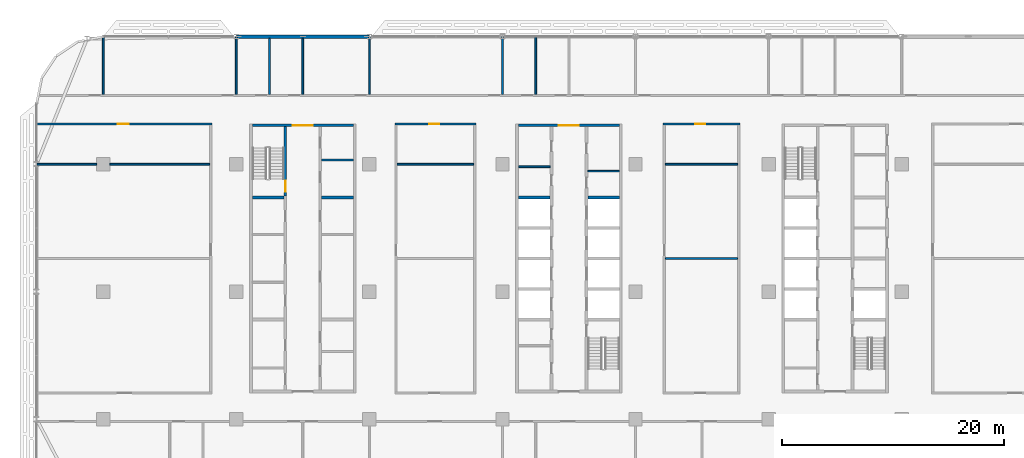
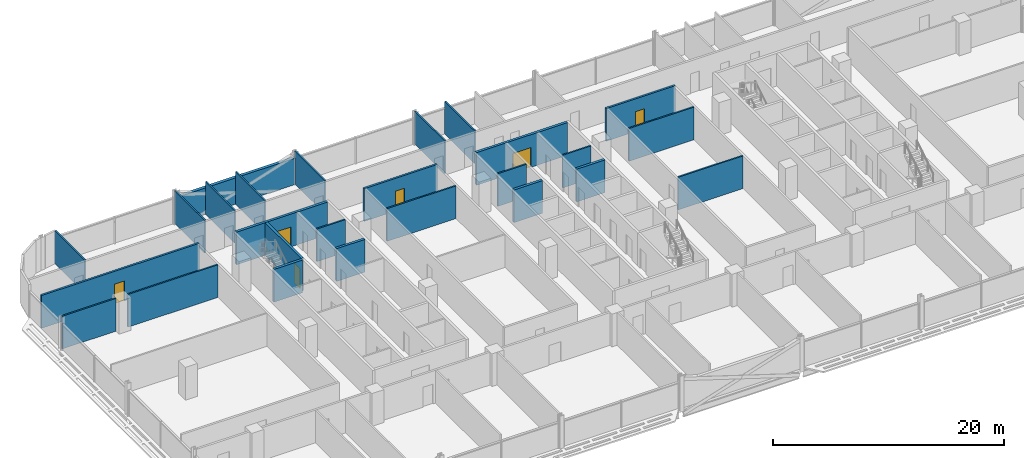
# One storey, part 13 of 27: 26 walls, 6 doors, 6 openings.
"""IFC4 building model written with IfcOpenShell, lengths in metres."""

import ifcopenshell
import ifcopenshell.guid

model = None  # the IFC model being written
_history = None  # IfcOwnerHistory: only IFC2X3 demands one
_inside = {}  # id of a spatial element -> (the spatial element, [elements in it])
_under = {}  # id of a project, library or spatial element -> (it, [spatial elements below it])
_declared = {}  # id of a project -> (the project, [libraries it declares])
_typed = {}  # id of a type object -> (the type object, [elements of that type])
_made_of = {}  # id of a material, layer set ... -> (it, [elements and type objects made of it])


def new_model(schema):
    """Start an empty IFC model of exactly this schema.

    Asked for "IFC4X3", IfcOpenShell would pick the latest addendum, in which some entities
    have other attributes; the version numbers below select the first issue.
    IFC2X3 requires an IfcOwnerHistory on every rooted entity: one is made here for all.
    """
    global model, _history
    if schema == "IFC4X3":
        model = ifcopenshell.file(schema_version=(4, 3, 0, 0))
    else:
        model = ifcopenshell.file(schema=schema)
    _inside.clear()
    _under.clear()
    _declared.clear()
    _typed.clear()
    _made_of.clear()
    _history = None
    if model.schema == "IFC2X3":
        org = make("IfcOrganization", Name="unknown")
        user = make(
            "IfcPersonAndOrganization",
            ThePerson=make("IfcPerson", FamilyName="unknown"),
            TheOrganization=org,
        )
        app = make(
            "IfcApplication",
            ApplicationDeveloper=org,
            Version="unknown",
            ApplicationFullName="unknown",
            ApplicationIdentifier="unknown",
        )
        _history = make(
            "IfcOwnerHistory",
            OwningUser=user,
            OwningApplication=app,
            ChangeAction="ADDED",
            CreationDate=0,
        )
    return model


def make(cls, **values):
    """One entity of the class cls with the attributes given. An attribute that is None is left unset."""
    return model.create_entity(
        cls, **{name: value for name, value in values.items() if value is not None}
    )


def rooted(cls, **values):
    """An entity with a GlobalId (a new one), such as an element, a storey or a relation."""
    return make(cls, GlobalId=ifcopenshell.guid.new(), OwnerHistory=_history, **values)


def si_unit(unit_type, name, prefix=None):
    """IfcSIUnit, for example si_unit("LENGTHUNIT", "METRE", prefix="MILLI")."""
    return make("IfcSIUnit", UnitType=unit_type, Prefix=prefix, Name=name)


def assignment(units):
    """IfcUnitAssignment: the units of a project."""
    return None if units is None else make("IfcUnitAssignment", Units=units)


def point(xyz):
    """IfcCartesianPoint."""
    return None if xyz is None else make("IfcCartesianPoint", Coordinates=xyz)


def direction(xyz):
    """IfcDirection."""
    return None if xyz is None else make("IfcDirection", DirectionRatios=xyz)


def frame(location, z_axis=None, x_axis=None):
    """IfcAxis2Placement3D, a coordinate frame: its origin and axes. An axis left out is left unset."""
    return make(
        "IfcAxis2Placement3D",
        Location=point(location),
        Axis=direction(z_axis),
        RefDirection=direction(x_axis),
    )


def frame_2d(location, x_axis=None):
    """IfcAxis2Placement2D, a coordinate frame in the plane: its origin and x axis."""
    return make(
        "IfcAxis2Placement2D", Location=point(location), RefDirection=direction(x_axis)
    )


def origin():
    """The frame at (0, 0, 0) with its axes left unset."""
    return frame((0.0, 0.0, 0.0))


def place(relative_to, where):
    """IfcLocalPlacement: puts the frame where relative to a parent placement (None: the world)."""
    return make(
        "IfcLocalPlacement", PlacementRelTo=relative_to, RelativePlacement=where
    )


def context(
    kind, dimensions, precision=None, world=None, true_north=None, identifier=None
):
    """IfcGeometricRepresentationContext, for example the 3D "Model" context."""
    return make(
        "IfcGeometricRepresentationContext",
        ContextIdentifier=identifier,
        ContextType=kind,
        CoordinateSpaceDimension=dimensions,
        Precision=precision,
        WorldCoordinateSystem=world,
        TrueNorth=true_north,
    )


def subcontext(parent, identifier, kind, view, scale=None):
    """IfcGeometricRepresentationSubContext, for example "Body" below "Model"."""
    return make(
        "IfcGeometricRepresentationSubContext",
        ContextIdentifier=identifier,
        ContextType=kind,
        ParentContext=parent,
        TargetScale=scale,
        TargetView=view,
    )


def project(units=None, contexts=None):
    """IfcProject with its units and contexts."""
    return rooted(
        "IfcProject",
        Name="project",
        RepresentationContexts=contexts,
        UnitsInContext=assignment(units),
    )


def spatial(cls, under=None, at=None, **own):
    """A site, building, storey or space (cls), placed at a placement, below another one or the project."""
    s = rooted(cls, ObjectPlacement=at, **own)
    if under is not None:
        _under.setdefault(under.id(), (under, []))[1].append(s)
    return s


def profile(cls, at=None, kind="AREA", **sizes):
    """A parametric profile (cls). Its sizes go by their IFC names, for example OverallWidth=200.0."""
    return make(cls, ProfileType=kind, Position=at, **sizes)


def rectangle(**sizes):
    """IfcRectangleProfileDef."""
    return profile("IfcRectangleProfileDef", **sizes)


def extrude(swept, where, along, depth):
    """IfcExtrudedAreaSolid: the profile swept, set in the frame where, extruded along a direction by depth."""
    return make(
        "IfcExtrudedAreaSolid",
        SweptArea=swept,
        Position=where,
        ExtrudedDirection=direction(along),
        Depth=depth,
    )


def shape(context_of_items, identifier, shape_type, items):
    """IfcShapeRepresentation: the items that make up one representation, for example the "Body"."""
    return make(
        "IfcShapeRepresentation",
        ContextOfItems=context_of_items,
        RepresentationIdentifier=identifier,
        RepresentationType=shape_type,
        Items=items,
    )


def material(Name=None, Category=None):
    """IfcMaterial."""
    return make("IfcMaterial", Name=Name, Category=Category)


def layer(
    of_material, thickness, ventilated=None, Name=None, Category=None, Priority=None
):
    """IfcMaterialLayer: one layer of a wall or slab, of a material (None: an air gap)."""
    return make(
        "IfcMaterialLayer",
        Material=of_material,
        LayerThickness=thickness,
        IsVentilated=ventilated,
        Name=Name,
        Category=Category,
        Priority=Priority,
    )


def layer_set(layers, Name=None):
    """IfcMaterialLayerSet."""
    return make("IfcMaterialLayerSet", MaterialLayers=layers, LayerSetName=Name)


def made_of(thing, what):
    """Note that an element or type object is made of a material, layer set ...; save() writes the relation."""
    if what is not None:
        _made_of.setdefault(what.id(), (what, []))[1].append(thing)
    return thing


def type_object(cls, material=None, **own):
    """A type object (cls), such as IfcWallType, which elements share."""
    return made_of(rooted(cls, **own), material)


def element(
    cls,
    number,
    at=None,
    inside=None,
    cuts=None,
    type_object=None,
    material=None,
    context=None,
    identifier="Body",
    shape_type=None,
    held_by="IfcProductDefinitionShape",
    body=None,
    shapes=None,
    **own,
):
    """One element of the class cls, such as IfcWall. Its Tag is "e" and its number.

    at: its placement. inside: the storey or other place that contains it. cuts: it is an
    opening in that element (IfcRelVoidsElement). A single representation is given by context,
    identifier, shape_type and body (its items); several are given by shapes. held_by: the class
    of the entity that holds the representations. save() writes the other relations.
    """
    e = rooted(cls, Tag="e%d" % number, ObjectPlacement=at, **own)
    if body is not None:
        shapes = [shape(context, identifier, shape_type, body)]
    if shapes is not None:
        e.Representation = make(held_by, Representations=shapes)
    if inside is not None:
        _inside.setdefault(inside.id(), (inside, []))[1].append(e)
    if cuts is not None:
        rooted(
            "IfcRelVoidsElement", RelatingBuildingElement=cuts, RelatedOpeningElement=e
        )
    if type_object is not None:
        _typed.setdefault(type_object.id(), (type_object, []))[1].append(e)
    return made_of(e, material)


def fill(opening, filler):
    """IfcRelFillsElement: the door or window that sits in an opening."""
    return rooted(
        "IfcRelFillsElement",
        RelatingOpeningElement=opening,
        RelatedBuildingElement=filler,
    )


def aggregate(whole, parts):
    """IfcRelAggregates: a whole, such as a stair, and the parts it consists of."""
    return rooted("IfcRelAggregates", RelatingObject=whole, RelatedObjects=parts)


def save(model, path):
    """Write the relations noted so far, then the file.

    IfcRelAggregates (storeys below a building ...), IfcRelContainedInSpatialStructure (elements
    in a storey), IfcRelDefinesByType, IfcRelAssociatesMaterial and IfcRelDeclares: one each for
    every whole, place, type object, material and project.
    """
    for whole, parts in _under.values():
        aggregate(whole, parts)
    for where, things in _inside.values():
        rooted(
            "IfcRelContainedInSpatialStructure",
            RelatedElements=things,
            RelatingStructure=where,
        )
    for kind, things in _typed.values():
        rooted("IfcRelDefinesByType", RelatedObjects=things, RelatingType=kind)
    for what, things in _made_of.values():
        rooted("IfcRelAssociatesMaterial", RelatedObjects=things, RelatingMaterial=what)
    for by, libraries in _declared.values():
        rooted("IfcRelDeclares", RelatingContext=by, RelatedDefinitions=libraries)
    model.write(path)


model = new_model("IFC4")

# Units and contexts
model_context = context("Model", 3, precision=1e-05, world=origin(), true_north=direction((0.0, 1.0)))
body_context = subcontext(model_context, "Body", "Model", "MODEL_VIEW")
ifc_project = project(units=[si_unit("LENGTHUNIT", "METRE"), si_unit("AREAUNIT", "SQUARE_METRE"), si_unit("VOLUMEUNIT", "CUBIC_METRE"), si_unit("PLANEANGLEUNIT", "RADIAN"), si_unit("MASSUNIT", "GRAM", prefix="KILO")], contexts=[model_context])

# Site, building, storey
site_placement = place(None, origin())
site = spatial("IfcSite", under=ifc_project, at=site_placement, CompositionType="ELEMENT")
building_placement = place(site_placement, origin())
building = spatial("IfcBuilding", under=site, at=building_placement, Name="Mahtab Terrace Research Tower", CompositionType="ELEMENT")
storey_placement = place(building_placement, frame((0.0, 0.0, 170.60009765625)))
storey = spatial("IfcBuildingStorey", under=building, at=storey_placement, Name="L40", CompositionType="ELEMENT", Elevation=170.60009765625)

# Walls
ifc_material_1 = material(Name="Gypsum board partition")
ifc_layer_1 = layer(ifc_material_1, 0.14990234375)
ifc_layer_set_1 = layer_set([ifc_layer_1], Name="Core partition 150")
wall_type_1 = type_object("IfcWallType", Name="Core partition 150", PredefinedType="PARTITIONING", material=ifc_layer_set_1)
for number, where, z_axis, x_axis, name in (
    (1, (-22.300048828125, 11.875, 0.0), (0.0, 0.0, 1.0), (1.0, 0.0, 0.0), "Core wall A pEN888"),
    (2, (-4.550048828125, 11.27490234375, 0.0), (0.0, 0.0, 1.0), (1.0, 0.0, 0.0), "Core wall B pWN828"),
    (3, (1.699951171875, 10.875, 0.0), (0.0, 0.0, 1.0), (1.0, 0.0, 0.0), "Core wall B pEN788"),
):
    element("IfcWall", number, at=place(storey_placement, frame(where, z_axis=z_axis, x_axis=x_axis)), inside=storey, type_object=wall_type_1, Name=name, PredefinedType="PARTITIONING", context=body_context, shape_type="SweptSolid", body=[
        extrude(rectangle(XDim=2.85009765625, YDim=0.14990234375, at=frame_2d((1.425048828125, 0.0))), origin(), (0.0, 0.0, 1.0), 3.4599609375),
    ])

# Wall, opening, door
ifc_material_2 = material(Name="Concrete C70/85", Category="concrete")
ifc_layer_2 = layer(ifc_material_2, 0.25)
ifc_layer_set_2 = layer_set([ifc_layer_2], Name="Core wall 250")
wall_type_2 = type_object("IfcWallType", Name="Core wall 250", PredefinedType="SOLIDWALL", material=ifc_layer_set_2)
wall_1_placement = place(storey_placement, frame((-28.550048828125, 15.0, 0.0), z_axis=(0.0, 0.0, 1.0), x_axis=(1.0, 0.0, 0.0)))
wall_1 = element("IfcWall", 4, at=wall_1_placement, inside=storey, type_object=wall_type_2, Name="Core wall A endN", PredefinedType="SOLIDWALL", context=body_context, shape_type="SweptSolid", body=[
    extrude(rectangle(XDim=9.10009765625, YDim=0.25, at=frame_2d((4.550048828125, 0.0))), origin(), (0.0, 0.0, 1.0), 3.4599609375),
])
opening_1_placement = place(wall_1_placement, frame((3.64990234375, 0.0, 0.0)))
opening_1 = element("IfcOpeningElement", 5, at=opening_1_placement, cuts=wall_1, Name="Opening A-N1", PredefinedType="OPENING", context=body_context, shape_type="SweptSolid", body=[
    extrude(rectangle(XDim=1.800048828125, YDim=2.10009765625, at=frame_2d((0.89990234375, 1.050048828125))), frame((0.0, 0.135009765625, 0.0), z_axis=(0.0, -1.0, 0.0), x_axis=(1.0, 0.0, 0.0)), (0.0, 0.0, 1.0), 0.27001953125),
])
ifc_material_3 = material(Name="Steel fire door", Category="steel")
door_type_1 = type_object("IfcDoorType", Name="Lobby double door 1800x2100 1 HR", OperationType="DOUBLE_DOOR_SINGLE_SWING", PredefinedType="DOOR", material=ifc_material_3)
door_1_placement = place(opening_1_placement, origin())
door_1 = element("IfcDoor", 6, at=door_1_placement, inside=storey, type_object=door_type_1, Name="Core entrance door A N", OperationType="DOUBLE_DOOR_SINGLE_SWING", OverallHeight=2.10009765625, OverallWidth=1.800048828125, PredefinedType="DOOR", context=body_context, shape_type="SweptSolid", body=[
    extrude(rectangle(XDim=1.800048828125, YDim=2.10009765625, at=frame_2d((0.89990234375, 1.050048828125))), frame((0.0, 0.02490234375, 0.0), z_axis=(0.0, -1.0, 0.0), x_axis=(1.0, 0.0, 0.0)), (0.0, 0.0, 1.0), 0.050048828125),
])
fill(opening_1, door_1)

wall_2_placement = place(storey_placement, frame((-25.574951171875, 14.875, 0.0), z_axis=(0.0, 0.0, 1.0), x_axis=(0.0, -1.0, 0.0)))
wall_2 = element("IfcWall", 7, at=wall_2_placement, inside=storey, type_object=wall_type_2, Name="Core wall A innerWN", PredefinedType="SOLIDWALL", context=body_context, shape_type="SweptSolid", body=[
    extrude(rectangle(XDim=6.25, YDim=0.25, at=frame_2d((3.125, 0.0))), origin(), (0.0, 0.0, 1.0), 3.4599609375),
])
opening_2_placement = place(wall_2_placement, frame((4.85009765625, 0.0, 0.0)))
opening_2 = element("IfcOpeningElement", 8, at=opening_2_placement, cuts=wall_2, Name="Opening A-ST1", PredefinedType="OPENING", context=body_context, shape_type="SweptSolid", body=[
    extrude(rectangle(XDim=1.0, YDim=2.10009765625, at=frame_2d((0.5, 1.050048828125))), frame((0.0, 0.135009765625, 0.0), z_axis=(0.0, -1.0, 0.0), x_axis=(1.0, 0.0, 0.0)), (0.0, 0.0, 1.0), 0.27001953125),
])
door_type_2 = type_object("IfcDoorType", Name="Stair door 1000x2100 1.5 HR", OperationType="NOTDEFINED", PredefinedType="DOOR", material=ifc_material_3)
door_2_placement = place(opening_2_placement, origin())
door_2 = element("IfcDoor", 9, at=door_2_placement, inside=storey, type_object=door_type_2, Name="Stair door ST1 L40", OperationType="SINGLE_SWING_RIGHT", OverallHeight=2.10009765625, OverallWidth=1.0, PredefinedType="DOOR", context=body_context, shape_type="SweptSolid", body=[
    extrude(rectangle(XDim=1.0, YDim=2.10009765625, at=frame_2d((0.5, 1.050048828125))), frame((0.0, 0.02490234375, 0.0), z_axis=(0.0, -1.0, 0.0), x_axis=(1.0, 0.0, 0.0)), (0.0, 0.0, 1.0), 0.050048828125),
])
fill(opening_2, door_2)

# Walls
for number, where, z_axis, x_axis, name in (
    (10, (-28.550048828125, 8.5, 0.0), (0.0, 0.0, 1.0), (1.0, 0.0, 0.0), "Core wall A divW4"),
    (11, (-22.300048828125, 8.5, 0.0), (0.0, 0.0, 1.0), (1.0, 0.0, 0.0), "Core wall A divE4"),
):
    element("IfcWall", number, at=place(storey_placement, frame(where, z_axis=z_axis, x_axis=x_axis)), inside=storey, type_object=wall_type_2, Name=name, PredefinedType="SOLIDWALL", context=body_context, shape_type="SweptSolid", body=[
        extrude(rectangle(XDim=2.85009765625, YDim=0.25, at=frame_2d((1.425048828125, 0.0))), origin(), (0.0, 0.0, 1.0), 3.4599609375),
    ])

# Wall, opening, door
wall_3_placement = place(storey_placement, frame((-4.550048828125, 15.0, 0.0), z_axis=(0.0, 0.0, 1.0), x_axis=(1.0, 0.0, 0.0)))
wall_3 = element("IfcWall", 12, at=wall_3_placement, inside=storey, type_object=wall_type_2, Name="Core wall B endN", PredefinedType="SOLIDWALL", context=body_context, shape_type="SweptSolid", body=[
    extrude(rectangle(XDim=9.10009765625, YDim=0.25, at=frame_2d((4.550048828125, 0.0))), origin(), (0.0, 0.0, 1.0), 3.4599609375),
])
opening_3_placement = place(wall_3_placement, frame((3.64990234375, 0.0, 0.0)))
opening_3 = element("IfcOpeningElement", 13, at=opening_3_placement, cuts=wall_3, Name="Opening B-N1", PredefinedType="OPENING", context=body_context, shape_type="SweptSolid", body=[
    extrude(rectangle(XDim=1.800048828125, YDim=2.10009765625, at=frame_2d((0.89990234375, 1.050048828125))), frame((0.0, 0.135009765625, 0.0), z_axis=(0.0, -1.0, 0.0), x_axis=(1.0, 0.0, 0.0)), (0.0, 0.0, 1.0), 0.27001953125),
])
door_3_placement = place(opening_3_placement, origin())
door_3 = element("IfcDoor", 14, at=door_3_placement, inside=storey, type_object=door_type_1, Name="Core entrance door B N", OperationType="DOUBLE_DOOR_SINGLE_SWING", OverallHeight=2.10009765625, OverallWidth=1.800048828125, PredefinedType="DOOR", context=body_context, shape_type="SweptSolid", body=[
    extrude(rectangle(XDim=1.800048828125, YDim=2.10009765625, at=frame_2d((0.89990234375, 1.050048828125))), frame((0.0, 0.02490234375, 0.0), z_axis=(0.0, -1.0, 0.0), x_axis=(1.0, 0.0, 0.0)), (0.0, 0.0, 1.0), 0.050048828125),
])
fill(opening_3, door_3)

# Walls
for number, where, z_axis, x_axis, name in (
    (15, (-4.550048828125, 8.5, 0.0), (0.0, 0.0, 1.0), (1.0, 0.0, 0.0), "Core wall B divW4"),
    (16, (1.699951171875, 8.5, 0.0), (0.0, 0.0, 1.0), (1.0, 0.0, 0.0), "Core wall B divE4"),
):
    element("IfcWall", number, at=place(storey_placement, frame(where, z_axis=z_axis, x_axis=x_axis)), inside=storey, type_object=wall_type_2, Name=name, PredefinedType="SOLIDWALL", context=body_context, shape_type="SweptSolid", body=[
        extrude(rectangle(XDim=2.85009765625, YDim=0.25, at=frame_2d((1.425048828125, 0.0))), origin(), (0.0, 0.0, 1.0), 3.4599609375),
    ])
ifc_material_4 = material(Name="Black aluminium cladding panel", Category="aluminium")
ifc_layer_3 = layer(ifc_material_4, 0.300048828125)
ifc_layer_set_3 = layer_set([ifc_layer_3], Name="Opaque facade wall 300")
wall_type_3 = type_object("IfcWallType", Name="Opaque facade wall 300", PredefinedType="NOTDEFINED", material=ifc_layer_set_3)
wall_4_placement = place(storey_placement, frame((-18.014892578125, 23.0, 0.0), z_axis=(0.0, 0.0, 1.0), x_axis=(-1.0, 0.0, 0.0)))
element("IfcWall", 17, at=wall_4_placement, inside=storey, type_object=wall_type_3, Name="Opaque facade wall L40 N8", PredefinedType="NOTDEFINED", context=body_context, shape_type="SweptSolid", body=[
    extrude(rectangle(XDim=11.97021484375, YDim=0.300048828125, at=frame_2d((5.985107421875, 0.0))), origin(), (0.0, 0.0, 1.0), 2.78173828125),
])

# Wall, opening, door
ifc_material_5 = material(Name="Gypsum board corridor wall on steel studs", Category="steel")
ifc_layer_4 = layer(ifc_material_5, 0.199951171875)
ifc_layer_set_4 = layer_set([ifc_layer_4], Name="WALL CORRIDOR 200")
wall_type_4 = type_object("IfcWallType", Name="WALL CORRIDOR 200", PredefinedType="PARTITIONING", material=ifc_layer_set_4)
wall_5_placement = place(storey_placement, frame((-47.97509765625, 15.125, 0.0), z_axis=(0.0, 0.0, 1.0), x_axis=(1.0, 0.0, 0.0)))
wall_5 = element("IfcWall", 18, at=wall_5_placement, inside=storey, type_object=wall_type_4, Name="L40-W024", PredefinedType="PARTITIONING", context=body_context, shape_type="SweptSolid", body=[
    extrude(rectangle(XDim=15.775146484375, YDim=0.199951171875, at=frame_2d((7.8876953125, 0.0))), origin(), (0.0, 0.0, 1.0), 3.4599609375),
])
opening_4_placement = place(wall_5_placement, frame((7.300048828125, 0.0, 0.0)))
opening_4 = element("IfcOpeningElement", 19, at=opening_4_placement, cuts=wall_5, Name="Opening L40-122", PredefinedType="OPENING", context=body_context, shape_type="SweptSolid", body=[
    extrude(rectangle(XDim=1.0, YDim=2.10009765625, at=frame_2d((0.5, 1.050048828125))), frame((0.0, 0.10986328125, 0.0), z_axis=(0.0, -1.0, 0.0), x_axis=(1.0, 0.0, 0.0)), (0.0, 0.0, 1.0), 0.219970703125),
])
ifc_material_6 = material(Name="Timber door leaf in steel frame", Category="steel")
door_type_3 = type_object("IfcDoorType", Name="DOOR 1000X2100 FD30S", OperationType="SINGLE_SWING_LEFT", PredefinedType="DOOR", material=ifc_material_6)
door_4_placement = place(opening_4_placement, origin())
door_4 = element("IfcDoor", 20, at=door_4_placement, inside=storey, type_object=door_type_3, Name="Door L40-122", OperationType="SINGLE_SWING_RIGHT", OverallHeight=2.10009765625, OverallWidth=1.0, PredefinedType="DOOR", context=body_context, shape_type="SweptSolid", body=[
    extrude(rectangle(XDim=1.0, YDim=2.10009765625, at=frame_2d((0.5, 1.050048828125))), frame((0.0, 0.02490234375, 0.0), z_axis=(0.0, -1.0, 0.0), x_axis=(1.0, 0.0, 0.0)), (0.0, 0.0, 1.0), 0.050048828125),
])
fill(opening_4, door_4)

wall_6_placement = place(storey_placement, frame((-15.699951171875, 15.125, 0.0), z_axis=(0.0, 0.0, 1.0), x_axis=(1.0, 0.0, 0.0)))
wall_6 = element("IfcWall", 21, at=wall_6_placement, inside=storey, type_object=wall_type_4, Name="L40-W025", PredefinedType="PARTITIONING", context=body_context, shape_type="SweptSolid", body=[
    extrude(rectangle(XDim=7.300048828125, YDim=0.199951171875, at=frame_2d((3.64990234375, 0.0))), origin(), (0.0, 0.0, 1.0), 3.4599609375),
])
opening_5_placement = place(wall_6_placement, frame((3.10009765625, 0.0, 0.0)))
opening_5 = element("IfcOpeningElement", 22, at=opening_5_placement, cuts=wall_6, Name="Opening L40-123", PredefinedType="OPENING", context=body_context, shape_type="SweptSolid", body=[
    extrude(rectangle(XDim=0.89990234375, YDim=2.10009765625, at=frame_2d((0.449951171875, 1.050048828125))), frame((0.0, 0.10986328125, 0.0), z_axis=(0.0, -1.0, 0.0), x_axis=(1.0, 0.0, 0.0)), (0.0, 0.0, 1.0), 0.219970703125),
])
door_type_4 = type_object("IfcDoorType", Name="DOOR 0900X2100 FD30S", OperationType="SINGLE_SWING_LEFT", PredefinedType="DOOR", material=ifc_material_6)
door_5_placement = place(opening_5_placement, origin())
door_5 = element("IfcDoor", 23, at=door_5_placement, inside=storey, type_object=door_type_4, Name="Door L40-123", OperationType="SINGLE_SWING_RIGHT", OverallHeight=2.10009765625, OverallWidth=0.89990234375, PredefinedType="DOOR", context=body_context, shape_type="SweptSolid", body=[
    extrude(rectangle(XDim=0.89990234375, YDim=2.10009765625, at=frame_2d((0.449951171875, 1.050048828125))), frame((0.0, 0.02490234375, 0.0), z_axis=(0.0, -1.0, 0.0), x_axis=(1.0, 0.0, 0.0)), (0.0, 0.0, 1.0), 0.050048828125),
])
fill(opening_5, door_5)

wall_7_placement = place(storey_placement, frame((8.5, 15.125, 0.0), z_axis=(0.0, 0.0, 1.0), x_axis=(1.0, 0.0, 0.0)))
wall_7 = element("IfcWall", 24, at=wall_7_placement, inside=storey, type_object=wall_type_4, Name="L40-W026", PredefinedType="PARTITIONING", context=body_context, shape_type="SweptSolid", body=[
    extrude(rectangle(XDim=6.89990234375, YDim=0.199951171875, at=frame_2d((3.449951171875, 0.0))), origin(), (0.0, 0.0, 1.0), 3.4599609375),
])
opening_6_placement = place(wall_7_placement, frame((2.89990234375, 0.0, 0.0)))
opening_6 = element("IfcOpeningElement", 25, at=opening_6_placement, cuts=wall_7, Name="Opening L40-124", PredefinedType="OPENING", context=body_context, shape_type="SweptSolid", body=[
    extrude(rectangle(XDim=0.89990234375, YDim=2.10009765625, at=frame_2d((0.449951171875, 1.050048828125))), frame((0.0, 0.10986328125, 0.0), z_axis=(0.0, -1.0, 0.0), x_axis=(1.0, 0.0, 0.0)), (0.0, 0.0, 1.0), 0.219970703125),
])
door_6_placement = place(opening_6_placement, origin())
door_6 = element("IfcDoor", 26, at=door_6_placement, inside=storey, type_object=door_type_4, Name="Door L40-124", OperationType="SINGLE_SWING_RIGHT", OverallHeight=2.10009765625, OverallWidth=0.89990234375, PredefinedType="DOOR", context=body_context, shape_type="SweptSolid", body=[
    extrude(rectangle(XDim=0.89990234375, YDim=2.10009765625, at=frame_2d((0.449951171875, 1.050048828125))), frame((0.0, 0.02490234375, 0.0), z_axis=(0.0, -1.0, 0.0), x_axis=(1.0, 0.0, 0.0)), (0.0, 0.0, 1.0), 0.050048828125),
])
fill(opening_6, door_6)

# Walls
ifc_material_7 = material(Name="Gypsum board partition on steel studs", Category="steel")
ifc_layer_5 = layer(ifc_material_7, 0.14990234375)
ifc_layer_set_5 = layer_set([ifc_layer_5], Name="WALL PARTITION 150")
wall_type_5 = type_object("IfcWallType", Name="WALL PARTITION 150", PredefinedType="PARTITIONING", material=ifc_layer_set_5)
wall_8_placement = place(storey_placement, frame((8.699951171875, 3.0, 0.0), z_axis=(0.0, 0.0, 1.0), x_axis=(1.0, 0.0, 0.0)))
element("IfcWall", 27, at=wall_8_placement, inside=storey, type_object=wall_type_5, Name="L40-W016", PredefinedType="PARTITIONING", context=body_context, shape_type="SweptSolid", body=[
    extrude(rectangle(XDim=6.5, YDim=0.14990234375, at=frame_2d((3.25, 0.0))), origin(), (0.0, 0.0, 1.0), 3.4599609375),
])
wall_9_placement = place(storey_placement, frame((-47.97509765625, 11.5, 0.0), z_axis=(0.0, 0.0, 1.0), x_axis=(1.0, 0.0, 0.0)))
element("IfcWall", 28, at=wall_9_placement, inside=storey, type_object=wall_type_5, Name="L40-W018", PredefinedType="PARTITIONING", context=body_context, shape_type="SweptSolid", body=[
    extrude(rectangle(XDim=5.375, YDim=0.14990234375, at=frame_2d((2.6875, 0.0))), origin(), (0.0, 0.0, 1.0), 3.4599609375),
])
wall_10_placement = place(storey_placement, frame((-41.39990234375, 11.5, 0.0), z_axis=(0.0, 0.0, 1.0), x_axis=(1.0, 0.0, 0.0)))
element("IfcWall", 29, at=wall_10_placement, inside=storey, type_object=wall_type_5, Name="L40-W019", PredefinedType="PARTITIONING", context=body_context, shape_type="SweptSolid", body=[
    extrude(rectangle(XDim=9.0, YDim=0.14990234375, at=frame_2d((4.5, 0.0))), origin(), (0.0, 0.0, 1.0), 3.4599609375),
])
wall_11_placement = place(storey_placement, frame((-15.5, 11.5, 0.0), z_axis=(0.0, 0.0, 1.0), x_axis=(1.0, 0.0, 0.0)))
element("IfcWall", 30, at=wall_11_placement, inside=storey, type_object=wall_type_5, Name="L40-W020", PredefinedType="PARTITIONING", context=body_context, shape_type="SweptSolid", body=[
    extrude(rectangle(XDim=6.89990234375, YDim=0.14990234375, at=frame_2d((3.449951171875, 0.0))), origin(), (0.0, 0.0, 1.0), 3.4599609375),
])
wall_12_placement = place(storey_placement, frame((8.699951171875, 11.5, 0.0), z_axis=(0.0, 0.0, 1.0), x_axis=(1.0, 0.0, 0.0)))
element("IfcWall", 31, at=wall_12_placement, inside=storey, type_object=wall_type_5, Name="L40-W021", PredefinedType="PARTITIONING", context=body_context, shape_type="SweptSolid", body=[
    extrude(rectangle(XDim=6.5, YDim=0.14990234375, at=frame_2d((3.25, 0.0))), origin(), (0.0, 0.0, 1.0), 3.4599609375),
])
for number, where, z_axis, x_axis, name in (
    (32, (-42.0, 17.800048828125, 0.0), (0.0, 0.0, 1.0), (0.0, 1.0, 0.0), "L40-W029"),
    (33, (-30.0, 17.800048828125, 0.0), (0.0, 0.0, 1.0), (0.0, 1.0, 0.0), "L40-W033"),
):
    element("IfcWall", number, at=place(storey_placement, frame(where, z_axis=z_axis, x_axis=x_axis)), inside=storey, type_object=wall_type_5, Name=name, PredefinedType="PARTITIONING", context=body_context, shape_type="SweptSolid", body=[
        extrude(rectangle(XDim=5.175048828125, YDim=0.14990234375, at=frame_2d((2.58740234375, 0.0))), origin(), (0.0, 0.0, 1.0), 3.4599609375),
    ])
for number, where, z_axis, x_axis, name in (
    (34, (-27.0, 17.800048828125, 0.0), (0.0, 0.0, 1.0), (0.0, 1.0, 0.0), "L40-W034"),
    (35, (-24.0, 17.800048828125, 0.0), (0.0, 0.0, 1.0), (0.0, 1.0, 0.0), "L40-W036"),
):
    element("IfcWall", number, at=place(storey_placement, frame(where, z_axis=z_axis, x_axis=x_axis)), inside=storey, type_object=wall_type_5, Name=name, PredefinedType="PARTITIONING", context=body_context, shape_type="SweptSolid", body=[
        extrude(rectangle(XDim=5.050048828125, YDim=0.14990234375, at=frame_2d((2.52490234375, 0.0))), origin(), (0.0, 0.0, 1.0), 3.4599609375),
    ])
for number, where, z_axis, x_axis, name in (
    (36, (-18.0, 17.800048828125, 0.0), (0.0, 0.0, 1.0), (0.0, 1.0, 0.0), "L40-W038"),
    (37, (-6.0, 17.800048828125, 0.0), (0.0, 0.0, 1.0), (0.0, 1.0, 0.0), "L40-W042"),
    (38, (-3.0, 17.800048828125, 0.0), (0.0, 0.0, 1.0), (0.0, 1.0, 0.0), "L40-W044"),
):
    element("IfcWall", number, at=place(storey_placement, frame(where, z_axis=z_axis, x_axis=x_axis)), inside=storey, type_object=wall_type_5, Name=name, PredefinedType="PARTITIONING", context=body_context, shape_type="SweptSolid", body=[
        extrude(rectangle(XDim=5.175048828125, YDim=0.14990234375, at=frame_2d((2.58740234375, 0.0))), origin(), (0.0, 0.0, 1.0), 3.4599609375),
    ])

save(model, "model.ifc")
